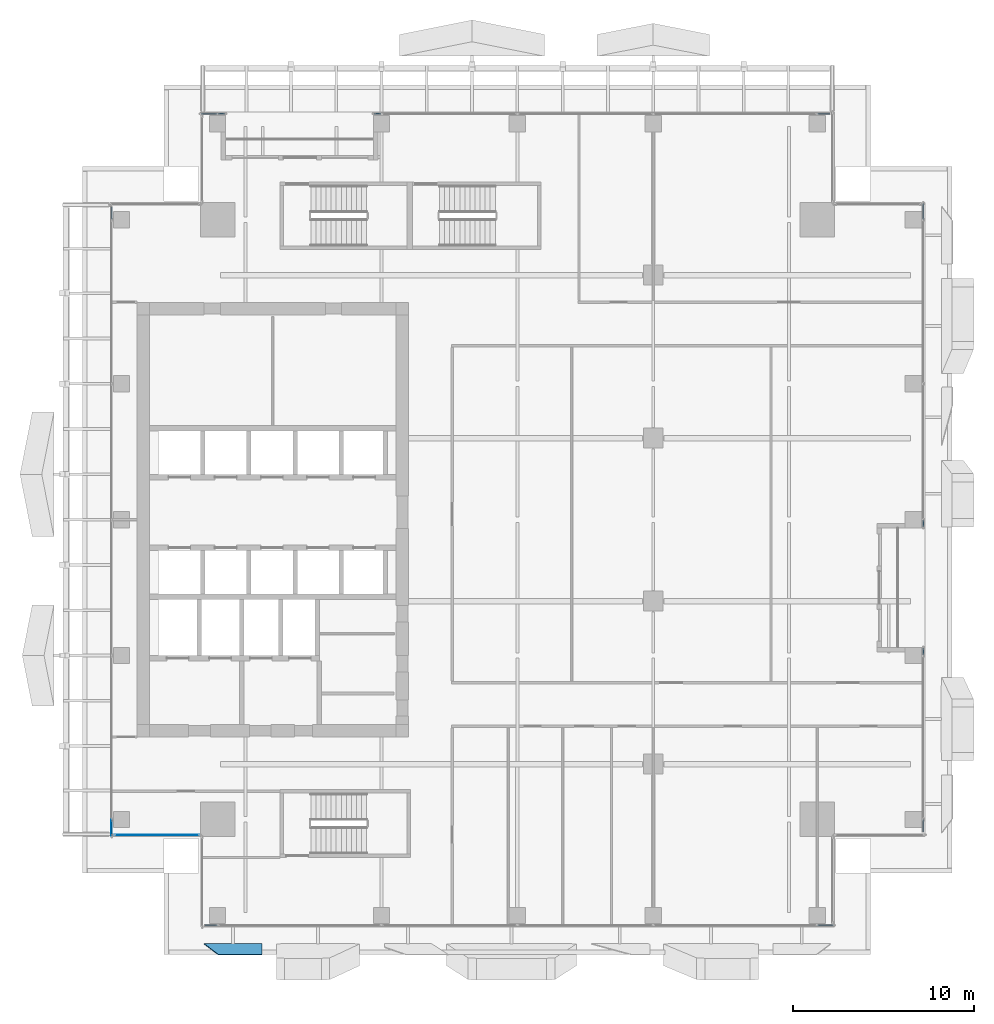
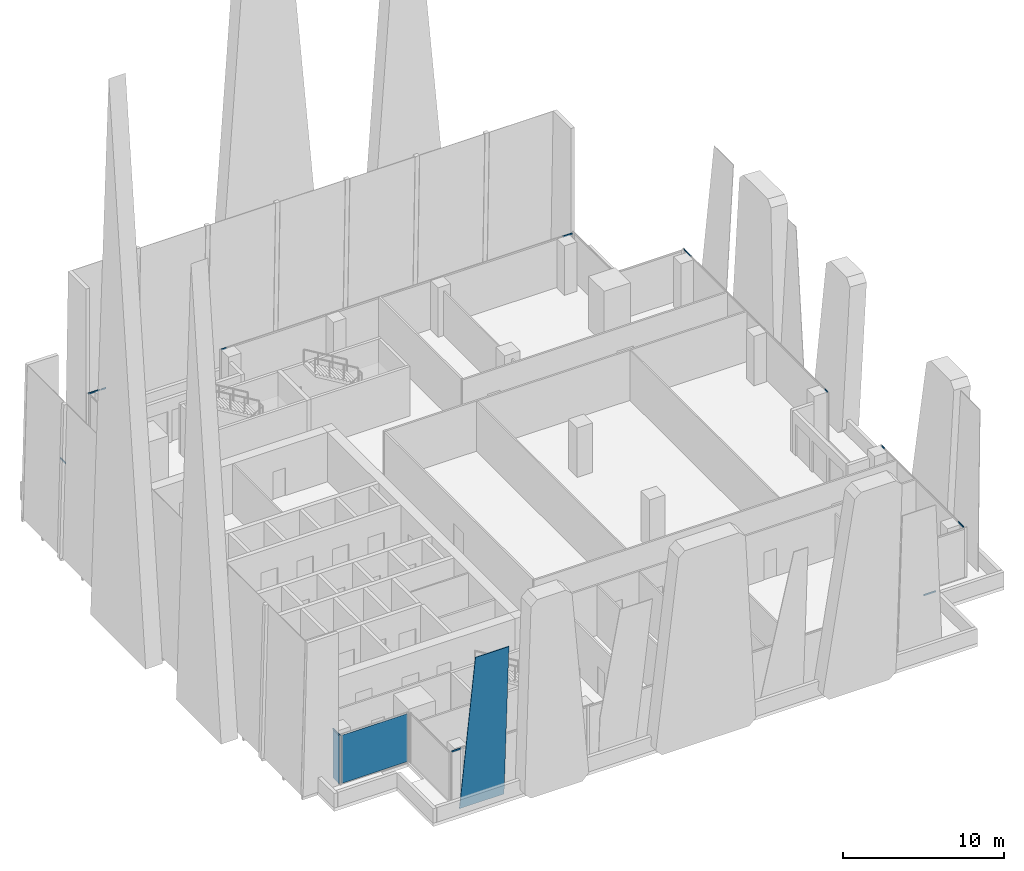
# One storey, part 20 of 33: 12 members, 3 plates, 7 elements without a shape of their own.
"""IFC4 building model written with IfcOpenShell, lengths in metres."""

import ifcopenshell
import ifcopenshell.guid

model = None  # the IFC model being written
_history = None  # IfcOwnerHistory: only IFC2X3 demands one
_inside = {}  # id of a spatial element -> (the spatial element, [elements in it])
_under = {}  # id of a project, library or spatial element -> (it, [spatial elements below it])
_declared = {}  # id of a project -> (the project, [libraries it declares])
_typed = {}  # id of a type object -> (the type object, [elements of that type])
_made_of = {}  # id of a material, layer set ... -> (it, [elements and type objects made of it])


def new_model(schema):
    """Start an empty IFC model of exactly this schema.

    Asked for "IFC4X3", IfcOpenShell would pick the latest addendum, in which some entities
    have other attributes; the version numbers below select the first issue.
    IFC2X3 requires an IfcOwnerHistory on every rooted entity: one is made here for all.
    """
    global model, _history
    if schema == "IFC4X3":
        model = ifcopenshell.file(schema_version=(4, 3, 0, 0))
    else:
        model = ifcopenshell.file(schema=schema)
    _inside.clear()
    _under.clear()
    _declared.clear()
    _typed.clear()
    _made_of.clear()
    _history = None
    if model.schema == "IFC2X3":
        org = make("IfcOrganization", Name="unknown")
        user = make(
            "IfcPersonAndOrganization",
            ThePerson=make("IfcPerson", FamilyName="unknown"),
            TheOrganization=org,
        )
        app = make(
            "IfcApplication",
            ApplicationDeveloper=org,
            Version="unknown",
            ApplicationFullName="unknown",
            ApplicationIdentifier="unknown",
        )
        _history = make(
            "IfcOwnerHistory",
            OwningUser=user,
            OwningApplication=app,
            ChangeAction="ADDED",
            CreationDate=0,
        )
    return model


def make(cls, **values):
    """One entity of the class cls with the attributes given. An attribute that is None is left unset."""
    return model.create_entity(
        cls, **{name: value for name, value in values.items() if value is not None}
    )


def rooted(cls, **values):
    """An entity with a GlobalId (a new one), such as an element, a storey or a relation."""
    return make(cls, GlobalId=ifcopenshell.guid.new(), OwnerHistory=_history, **values)


def si_unit(unit_type, name, prefix=None):
    """IfcSIUnit, for example si_unit("LENGTHUNIT", "METRE", prefix="MILLI")."""
    return make("IfcSIUnit", UnitType=unit_type, Prefix=prefix, Name=name)


def assignment(units):
    """IfcUnitAssignment: the units of a project."""
    return None if units is None else make("IfcUnitAssignment", Units=units)


def point(xyz):
    """IfcCartesianPoint."""
    return None if xyz is None else make("IfcCartesianPoint", Coordinates=xyz)


def direction(xyz):
    """IfcDirection."""
    return None if xyz is None else make("IfcDirection", DirectionRatios=xyz)


def frame(location, z_axis=None, x_axis=None):
    """IfcAxis2Placement3D, a coordinate frame: its origin and axes. An axis left out is left unset."""
    return make(
        "IfcAxis2Placement3D",
        Location=point(location),
        Axis=direction(z_axis),
        RefDirection=direction(x_axis),
    )


def frame_2d(location, x_axis=None):
    """IfcAxis2Placement2D, a coordinate frame in the plane: its origin and x axis."""
    return make(
        "IfcAxis2Placement2D", Location=point(location), RefDirection=direction(x_axis)
    )


def origin():
    """The frame at (0, 0, 0) with its axes left unset."""
    return frame((0.0, 0.0, 0.0))


def origin_2d():
    """The frame at (0, 0) in the plane with its x axis left unset."""
    return frame_2d((0.0, 0.0))


def place(relative_to, where):
    """IfcLocalPlacement: puts the frame where relative to a parent placement (None: the world)."""
    return make(
        "IfcLocalPlacement", PlacementRelTo=relative_to, RelativePlacement=where
    )


def context(
    kind, dimensions, precision=None, world=None, true_north=None, identifier=None
):
    """IfcGeometricRepresentationContext, for example the 3D "Model" context."""
    return make(
        "IfcGeometricRepresentationContext",
        ContextIdentifier=identifier,
        ContextType=kind,
        CoordinateSpaceDimension=dimensions,
        Precision=precision,
        WorldCoordinateSystem=world,
        TrueNorth=true_north,
    )


def subcontext(parent, identifier, kind, view, scale=None):
    """IfcGeometricRepresentationSubContext, for example "Body" below "Model"."""
    return make(
        "IfcGeometricRepresentationSubContext",
        ContextIdentifier=identifier,
        ContextType=kind,
        ParentContext=parent,
        TargetScale=scale,
        TargetView=view,
    )


def project(units=None, contexts=None):
    """IfcProject with its units and contexts."""
    return rooted(
        "IfcProject",
        Name="project",
        RepresentationContexts=contexts,
        UnitsInContext=assignment(units),
    )


def spatial(cls, under=None, at=None, **own):
    """A site, building, storey or space (cls), placed at a placement, below another one or the project."""
    s = rooted(cls, ObjectPlacement=at, **own)
    if under is not None:
        _under.setdefault(under.id(), (under, []))[1].append(s)
    return s


def polyline(points):
    """IfcPolyline through the points."""
    return make("IfcPolyline", Points=[point(p) for p in points])


def profile(cls, at=None, kind="AREA", **sizes):
    """A parametric profile (cls). Its sizes go by their IFC names, for example OverallWidth=200.0."""
    return make(cls, ProfileType=kind, Position=at, **sizes)


def rectangle(**sizes):
    """IfcRectangleProfileDef."""
    return profile("IfcRectangleProfileDef", **sizes)


def hollow_rectangle(**sizes):
    """IfcRectangleHollowProfileDef."""
    return profile("IfcRectangleHollowProfileDef", **sizes)


def outline(outer, holes=None, kind="AREA"):
    """IfcArbitraryClosedProfileDef: a profile drawn as a closed curve; with holes, ...WithVoids."""
    if holes is None:
        return make("IfcArbitraryClosedProfileDef", ProfileType=kind, OuterCurve=outer)
    return make(
        "IfcArbitraryProfileDefWithVoids",
        ProfileType=kind,
        OuterCurve=outer,
        InnerCurves=holes,
    )


def extrude(swept, where, along, depth):
    """IfcExtrudedAreaSolid: the profile swept, set in the frame where, extruded along a direction by depth."""
    return make(
        "IfcExtrudedAreaSolid",
        SweptArea=swept,
        Position=where,
        ExtrudedDirection=direction(along),
        Depth=depth,
    )


def shape(context_of_items, identifier, shape_type, items):
    """IfcShapeRepresentation: the items that make up one representation, for example the "Body"."""
    return make(
        "IfcShapeRepresentation",
        ContextOfItems=context_of_items,
        RepresentationIdentifier=identifier,
        RepresentationType=shape_type,
        Items=items,
    )


def source(mapping_origin, context_of_items, identifier, shape_type, items):
    """IfcRepresentationMap: a shape defined once, which mapped items show again and again."""
    return make(
        "IfcRepresentationMap",
        MappingOrigin=mapping_origin,
        MappedRepresentation=shape(context_of_items, identifier, shape_type, items),
    )


def transform(
    local_origin,
    x_axis=None,
    y_axis=None,
    z_axis=None,
    scale=None,
    scale2=None,
    scale3=None,
    uniform=True,
):
    """IfcCartesianTransformationOperator3D, or its non-uniform kind. x_axis, y_axis, z_axis: its Axis1, 2, 3."""
    if uniform:
        return make(
            "IfcCartesianTransformationOperator3D",
            Axis1=direction(x_axis),
            Axis2=direction(y_axis),
            LocalOrigin=point(local_origin),
            Scale=scale,
            Axis3=direction(z_axis),
        )
    return make(
        "IfcCartesianTransformationOperator3DnonUniform",
        Axis1=direction(x_axis),
        Axis2=direction(y_axis),
        LocalOrigin=point(local_origin),
        Scale=scale,
        Axis3=direction(z_axis),
        Scale2=scale2,
        Scale3=scale3,
    )


def mapped(mapping_source, mapping_target):
    """IfcMappedItem: shows the shape of a source again, moved by a transform."""
    return make(
        "IfcMappedItem", MappingSource=mapping_source, MappingTarget=mapping_target
    )


def material(Name=None, Category=None):
    """IfcMaterial."""
    return make("IfcMaterial", Name=Name, Category=Category)


def layer(
    of_material, thickness, ventilated=None, Name=None, Category=None, Priority=None
):
    """IfcMaterialLayer: one layer of a wall or slab, of a material (None: an air gap)."""
    return make(
        "IfcMaterialLayer",
        Material=of_material,
        LayerThickness=thickness,
        IsVentilated=ventilated,
        Name=Name,
        Category=Category,
        Priority=Priority,
    )


def layer_set(layers, Name=None):
    """IfcMaterialLayerSet."""
    return make("IfcMaterialLayerSet", MaterialLayers=layers, LayerSetName=Name)


def material_profile(
    of_material, cross_section, Name=None, Category=None, Priority=None
):
    """IfcMaterialProfile: a cross section and its material."""
    return make(
        "IfcMaterialProfile",
        Name=Name,
        Material=of_material,
        Profile=cross_section,
        Priority=Priority,
        Category=Category,
    )


def profile_set(profiles, Name=None, composite=None):
    """IfcMaterialProfileSet."""
    return make(
        "IfcMaterialProfileSet",
        Name=Name,
        MaterialProfiles=profiles,
        CompositeProfile=composite,
    )


def made_of(thing, what):
    """Note that an element or type object is made of a material, layer set ...; save() writes the relation."""
    if what is not None:
        _made_of.setdefault(what.id(), (what, []))[1].append(thing)
    return thing


def type_object(cls, material=None, **own):
    """A type object (cls), such as IfcWallType, which elements share."""
    return made_of(rooted(cls, **own), material)


def element(
    cls,
    number,
    at=None,
    inside=None,
    cuts=None,
    type_object=None,
    material=None,
    context=None,
    identifier="Body",
    shape_type=None,
    held_by="IfcProductDefinitionShape",
    body=None,
    shapes=None,
    **own,
):
    """One element of the class cls, such as IfcWall. Its Tag is "e" and its number.

    at: its placement. inside: the storey or other place that contains it. cuts: it is an
    opening in that element (IfcRelVoidsElement). A single representation is given by context,
    identifier, shape_type and body (its items); several are given by shapes. held_by: the class
    of the entity that holds the representations. save() writes the other relations.
    """
    e = rooted(cls, Tag="e%d" % number, ObjectPlacement=at, **own)
    if body is not None:
        shapes = [shape(context, identifier, shape_type, body)]
    if shapes is not None:
        e.Representation = make(held_by, Representations=shapes)
    if inside is not None:
        _inside.setdefault(inside.id(), (inside, []))[1].append(e)
    if cuts is not None:
        rooted(
            "IfcRelVoidsElement", RelatingBuildingElement=cuts, RelatedOpeningElement=e
        )
    if type_object is not None:
        _typed.setdefault(type_object.id(), (type_object, []))[1].append(e)
    return made_of(e, material)


def aggregate(whole, parts):
    """IfcRelAggregates: a whole, such as a stair, and the parts it consists of."""
    return rooted("IfcRelAggregates", RelatingObject=whole, RelatedObjects=parts)


def save(model, path):
    """Write the relations noted so far, then the file.

    IfcRelAggregates (storeys below a building ...), IfcRelContainedInSpatialStructure (elements
    in a storey), IfcRelDefinesByType, IfcRelAssociatesMaterial and IfcRelDeclares: one each for
    every whole, place, type object, material and project.
    """
    for whole, parts in _under.values():
        aggregate(whole, parts)
    for where, things in _inside.values():
        rooted(
            "IfcRelContainedInSpatialStructure",
            RelatedElements=things,
            RelatingStructure=where,
        )
    for kind, things in _typed.values():
        rooted("IfcRelDefinesByType", RelatedObjects=things, RelatingType=kind)
    for what, things in _made_of.values():
        rooted("IfcRelAssociatesMaterial", RelatedObjects=things, RelatingMaterial=what)
    for by, libraries in _declared.values():
        rooted("IfcRelDeclares", RelatingContext=by, RelatedDefinitions=libraries)
    model.write(path)


model = new_model("IFC4")

# Units and contexts
model_context = context("Model", 3, precision=1e-05, world=origin(), true_north=direction((0.0, 1.0)))
body_context = subcontext(model_context, "Body", "Model", "MODEL_VIEW")
ifc_project = project(units=[si_unit("LENGTHUNIT", "METRE"), si_unit("AREAUNIT", "SQUARE_METRE"), si_unit("VOLUMEUNIT", "CUBIC_METRE"), si_unit("PLANEANGLEUNIT", "RADIAN"), si_unit("MASSUNIT", "GRAM", prefix="KILO")], contexts=[model_context])

# Site, building, storey
site_placement = place(None, origin())
site = spatial("IfcSite", under=ifc_project, at=site_placement, CompositionType="ELEMENT")
building_placement = place(site_placement, origin())
building = spatial("IfcBuilding", under=site, at=building_placement, Name="Khomas Fold Tower", CompositionType="ELEMENT")
storey_placement = place(building_placement, frame((0.0, 0.0, 222.199951171875)))
storey = spatial("IfcBuildingStorey", under=building, at=storey_placement, Name="L49", CompositionType="ELEMENT", Elevation=222.199951171875)

# Curtain wall, member
ifc_material_1 = material(Name="Aluminium framed double glazing", Category="aluminium")
curtain_wall_type = type_object("IfcCurtainWallType", Name="SK-Unitised clear-glass wall, office floors CW2", PredefinedType="NOTDEFINED", material=ifc_material_1)
curtain_wall_1_placement = place(storey_placement, origin())
curtain_wall_1 = element("IfcCurtainWall", 1, at=curtain_wall_1_placement, inside=storey, type_object=curtain_wall_type, Name="CW2 run L49 00-0", PredefinedType="NOTDEFINED")
ifc_material_2 = material(Name="Aluminium", Category="aluminium")
ifc_material_profile = material_profile(ifc_material_2, hollow_rectangle(XDim=0.050048828125, YDim=0.110107421875, WallThickness=0.00390625, at=origin_2d()), Name="SK-Unitised clear-glass wall, office floors transom CW2-T")
ifc_profile_set = profile_set([ifc_material_profile], Name="Aluminium")
member_type = type_object("IfcMemberType", Name="SK-Unitised clear-glass wall, office floors transom CW2-T", PredefinedType="USERDEFINED", material=ifc_profile_set)
shared_shape_1 = source(origin(), body_context, "Body", "SweptSolid", [
    extrude(hollow_rectangle(XDim=0.050048828125, YDim=0.110107421875, WallThickness=0.00390625, at=origin_2d()), origin(), (0.0, 0.0, 1.0), 0.659912109375),
])
member_1_placement = place(storey_placement, frame((9.760009765625, 4.60009765625, 3.695068359375), z_axis=(1.0, 0.0, 0.0), x_axis=(0.0, 1.0, 0.0)))
member_1 = element("IfcMember", 2, at=member_1_placement, type_object=member_type, Name="CW2 transom 1", ObjectType="TRANSOM", PredefinedType="USERDEFINED", context=body_context, shape_type="MappedRepresentation", body=[
    mapped(shared_shape_1, transform((0.0, 0.0, 0.0))),
])

curtain_wall_2_placement = place(storey_placement, origin())
curtain_wall_2 = element("IfcCurtainWall", 3, at=curtain_wall_2_placement, inside=storey, type_object=curtain_wall_type, Name="CW2 run L49 03-0", PredefinedType="NOTDEFINED")
member_2_placement = place(storey_placement, frame((49.39990234375, 9.760009765625, 3.695068359375), z_axis=(0.0, 1.0, 0.0), x_axis=(-1.0, 0.0, 0.0)))
member_2 = element("IfcMember", 4, at=member_2_placement, type_object=member_type, Name="CW2 transom 1", ObjectType="TRANSOM", PredefinedType="USERDEFINED", context=body_context, shape_type="MappedRepresentation", body=[
    mapped(shared_shape_1, transform((0.0, 0.0, 0.0))),
])

curtain_wall_3_placement = place(storey_placement, origin())
curtain_wall_3 = element("IfcCurtainWall", 5, at=curtain_wall_3_placement, inside=storey, type_object=curtain_wall_type, Name="CW2 run L49 06-0", PredefinedType="NOTDEFINED")
member_3_placement = place(storey_placement, frame((44.239990234375, 49.39990234375, 3.695068359375), z_axis=(-1.0, 0.0, 0.0), x_axis=(0.0, -1.0, 0.0)))
member_3 = element("IfcMember", 6, at=member_3_placement, type_object=member_type, Name="CW2 transom 1", ObjectType="TRANSOM", PredefinedType="USERDEFINED", context=body_context, shape_type="MappedRepresentation", body=[
    mapped(shared_shape_1, transform((0.0, 0.0, 0.0))),
])

curtain_wall_4_placement = place(storey_placement, origin())
curtain_wall_4 = element("IfcCurtainWall", 7, at=curtain_wall_4_placement, inside=storey, type_object=curtain_wall_type, Name="CW2 run L49 09-0", PredefinedType="NOTDEFINED")
member_4_placement = place(storey_placement, frame((4.60009765625, 44.239990234375, 3.695068359375), z_axis=(0.0, -1.0, 0.0), x_axis=(1.0, 0.0, 0.0)))
member_4 = element("IfcMember", 8, at=member_4_placement, type_object=member_type, Name="CW2 transom 1", ObjectType="TRANSOM", PredefinedType="USERDEFINED", context=body_context, shape_type="MappedRepresentation", body=[
    mapped(shared_shape_1, transform((0.0, 0.0, 0.0))),
])

# Member
shared_shape_2 = source(origin(), body_context, "Body", "SweptSolid", [
    extrude(hollow_rectangle(XDim=0.050048828125, YDim=0.110107421875, WallThickness=0.00390625, at=origin_2d()), origin(), (0.0, 0.0, 1.0), 0.85986328125),
])
member_5_placement = place(storey_placement, frame((43.580078125, 4.60009765625, 3.695068359375), z_axis=(1.0, 0.0, 0.0), x_axis=(0.0, 1.0, 0.0)))
member_5 = element("IfcMember", 9, at=member_5_placement, type_object=member_type, Name="CW2 transom 6", ObjectType="TRANSOM", PredefinedType="USERDEFINED", context=body_context, shape_type="MappedRepresentation", body=[
    mapped(shared_shape_2, transform((0.0, 0.0, 0.0))),
])

aggregate(curtain_wall_1, [member_1, member_5])

# Curtain wall, member
curtain_wall_5_placement = place(storey_placement, origin())
curtain_wall_5 = element("IfcCurtainWall", 10, at=curtain_wall_5_placement, inside=storey, type_object=curtain_wall_type, Name="CW2 run L49 03-1", PredefinedType="NOTDEFINED")
member_6_placement = place(storey_placement, frame((49.39990234375, 43.580078125, 3.695068359375), z_axis=(0.0, 1.0, 0.0), x_axis=(-1.0, 0.0, 0.0)))
member_6 = element("IfcMember", 11, at=member_6_placement, type_object=member_type, Name="CW2 transom 4", ObjectType="TRANSOM", PredefinedType="USERDEFINED", context=body_context, shape_type="MappedRepresentation", body=[
    mapped(shared_shape_2, transform((0.0, 0.0, 0.0))),
])

curtain_wall_6_placement = place(storey_placement, origin())
curtain_wall_6 = element("IfcCurtainWall", 12, at=curtain_wall_6_placement, inside=storey, type_object=curtain_wall_type, Name="CW2 run L49 06-1", PredefinedType="NOTDEFINED")
member_7_placement = place(storey_placement, frame((10.419921875, 49.39990234375, 3.695068359375), z_axis=(-1.0, 0.0, 0.0), x_axis=(0.0, -1.0, 0.0)))
member_7 = element("IfcMember", 13, at=member_7_placement, type_object=member_type, Name="CW2 transom 2", ObjectType="TRANSOM", PredefinedType="USERDEFINED", context=body_context, shape_type="MappedRepresentation", body=[
    mapped(shared_shape_2, transform((0.0, 0.0, 0.0))),
])

# Member
member_8_placement = place(storey_placement, frame((4.60009765625, 10.419921875, 3.695068359375), z_axis=(0.0, -1.0, 0.0), x_axis=(1.0, 0.0, 0.0)))
member_8 = element("IfcMember", 14, at=member_8_placement, type_object=member_type, Name="CW2 transom 6", ObjectType="TRANSOM", PredefinedType="USERDEFINED", context=body_context, shape_type="MappedRepresentation", body=[
    mapped(shared_shape_2, transform((0.0, 0.0, 0.0))),
])

shared_shape_3 = source(origin(), body_context, "Body", "SweptSolid", [
    extrude(hollow_rectangle(XDim=0.050048828125, YDim=0.110107421875, WallThickness=0.00390625, at=origin_2d()), origin(), (0.0, 0.0, 1.0), 0.35986328125),
])
member_9_placement = place(storey_placement, frame((49.39990234375, 19.530029296875, 3.695068359375), z_axis=(0.0, 1.0, 0.0), x_axis=(-1.0, 0.0, 0.0)))
member_9 = element("IfcMember", 15, at=member_9_placement, type_object=member_type, Name="CW2 transom 3", ObjectType="TRANSOM", PredefinedType="USERDEFINED", context=body_context, shape_type="MappedRepresentation", body=[
    mapped(shared_shape_3, transform((0.0, 0.0, 0.0))),
])

aggregate(curtain_wall_2, [member_2, member_9])

member_10_placement = place(storey_placement, frame((49.39990234375, 26.610107421875, 3.695068359375), z_axis=(0.0, 1.0, 0.0), x_axis=(-1.0, 0.0, 0.0)))
member_10 = element("IfcMember", 16, at=member_10_placement, type_object=member_type, Name="CW2 transom 1", ObjectType="TRANSOM", PredefinedType="USERDEFINED", context=body_context, shape_type="MappedRepresentation", body=[
    mapped(shared_shape_3, transform((0.0, 0.0, 0.0))),
])

aggregate(curtain_wall_5, [member_10, member_6])

member_11_placement = place(storey_placement, frame((19.469970703125, 49.39990234375, 3.695068359375), z_axis=(-1.0, 0.0, 0.0), x_axis=(0.0, -1.0, 0.0)))
member_11 = element("IfcMember", 17, at=member_11_placement, type_object=member_type, Name="CW2 transom 5", ObjectType="TRANSOM", PredefinedType="USERDEFINED", context=body_context, shape_type="MappedRepresentation", body=[
    mapped(shared_shape_3, transform((0.0, 0.0, 0.0))),
])

aggregate(curtain_wall_3, [member_3, member_11])

shared_shape_4 = source(origin(), body_context, "Body", "SweptSolid", [
    extrude(hollow_rectangle(XDim=0.050048828125, YDim=0.110107421875, WallThickness=0.00390625, at=origin_2d()), origin(), (0.0, 0.0, 1.0), 0.360107421875),
])
member_12_placement = place(storey_placement, frame((10.840087890625, 49.39990234375, 3.695068359375), z_axis=(-1.0, 0.0, 0.0), x_axis=(0.0, -1.0, 0.0)))
member_12 = element("IfcMember", 18, at=member_12_placement, type_object=member_type, Name="CW2 transom 1", ObjectType="TRANSOM", PredefinedType="USERDEFINED", context=body_context, shape_type="MappedRepresentation", body=[
    mapped(shared_shape_4, transform((0.0, 0.0, 0.0))),
])

aggregate(curtain_wall_6, [member_12, member_7])

# Plate
ifc_material_3 = material(Name="Clear laminated glass", Category="glass")
ifc_layer_1 = layer(ifc_material_3, 0.0400390625)
ifc_layer_set_1 = layer_set([ifc_layer_1], Name="Clear laminated glass")
plate_type_1 = type_object("IfcPlateType", Name="SK-Clear laminated glass leaf", PredefinedType="SHEET", material=ifc_layer_set_1)
plate_1_placement = place(storey_placement, frame((12.89990234375, 3.60009765625, 0.0), z_axis=(0.0, 0.99862882819, 0.052349436554), x_axis=(-1.0, 0.0, 0.0)))
element("IfcPlate", 19, at=plate_1_placement, inside=storey, type_object=plate_type_1, Name="OUTER SKIN glass L49 SG098-1", PredefinedType="SHEET", context=body_context, shape_type="SweptSolid", body=[
    extrude(outline(polyline([(0.0, 0.0), (3.199462890625, 0.0), (2.39990234375, 11.565907674683308), (0.0, 11.565907674683308), (0.0, 0.0)])), origin(), (0.0, 0.0, -1.0), 0.0400390625),
])

ifc_material_4 = material(Name="Clear double glazed unit")
ifc_layer_2 = layer(ifc_material_4, 0.030029296875)
ifc_layer_set_2 = layer_set([ifc_layer_2], Name="Clear double glazed unit")
plate_type_2 = type_object("IfcPlateType", Name="SK-Unitised clear-glass wall, office floors glass panel CW2-P", PredefinedType="CURTAIN_PANEL", material=ifc_layer_set_2)
shared_shape_5 = source(origin(), body_context, "Body", "SweptSolid", [
    extrude(rectangle(XDim=0.860107421875, YDim=0.030029296875, at=origin_2d()), origin(), (0.0, 0.0, 1.0), 3.639892578125),
])
plate_2_placement = place(storey_placement, frame((4.60009765625, 9.989990234375, 0.0), z_axis=(0.0, 0.0, 1.0), x_axis=(0.0, -1.0, 0.0)))
plate_2 = element("IfcPlate", 20, at=plate_2_placement, type_object=plate_type_2, Name="CW2 glass panel 6", PredefinedType="CURTAIN_PANEL", context=body_context, shape_type="MappedRepresentation", body=[
    mapped(shared_shape_5, transform((0.0, 0.0, 0.0))),
])

aggregate(curtain_wall_4, [member_4, member_8, plate_2])

# Curtain wall, plate
curtain_wall_7_placement = place(storey_placement, origin())
curtain_wall_7 = element("IfcCurtainWall", 21, at=curtain_wall_7_placement, inside=storey, type_object=curtain_wall_type, Name="CW2 corner return L49 10", PredefinedType="NOTDEFINED")
shared_shape_6 = source(origin(), body_context, "Body", "SweptSolid", [
    extrude(rectangle(XDim=4.679931640625, YDim=0.030029296875, at=origin_2d()), origin(), (0.0, 0.0, 1.0), 3.639892578125),
])
plate_3_placement = place(storey_placement, frame((7.10009765625, 9.60009765625, 0.0), z_axis=(0.0, 0.0, 1.0), x_axis=(1.0, 0.0, 0.0)))
plate_3 = element("IfcPlate", 22, at=plate_3_placement, type_object=plate_type_2, Name="CW2 glass panel 1", PredefinedType="CURTAIN_PANEL", context=body_context, shape_type="MappedRepresentation", body=[
    mapped(shared_shape_6, transform((0.0, 0.0, 0.0))),
])
aggregate(curtain_wall_7, [plate_3])

save(model, "model.ifc")
